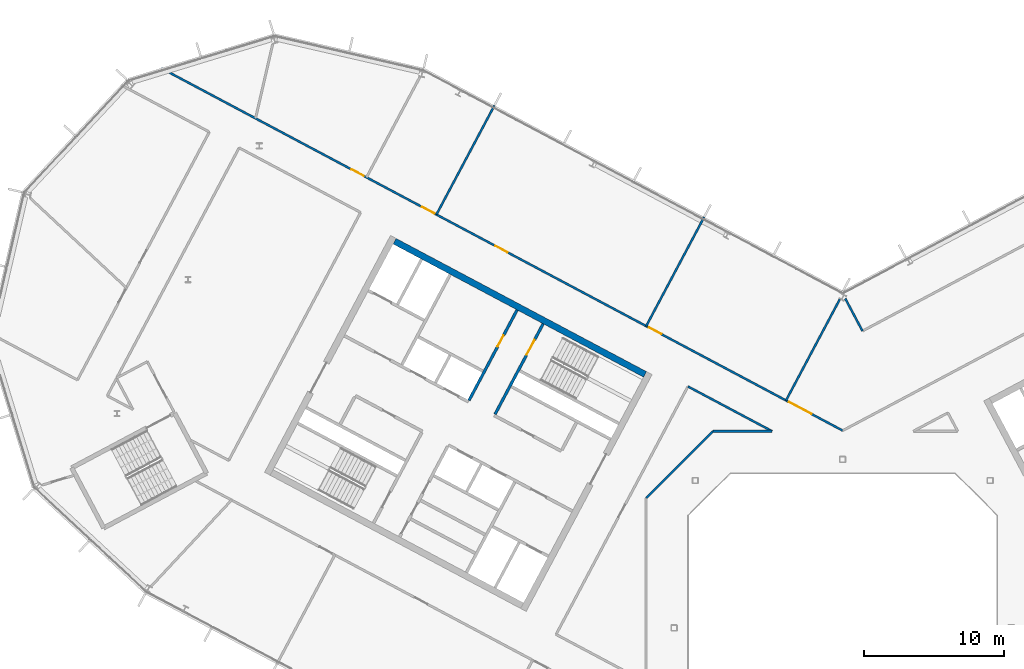
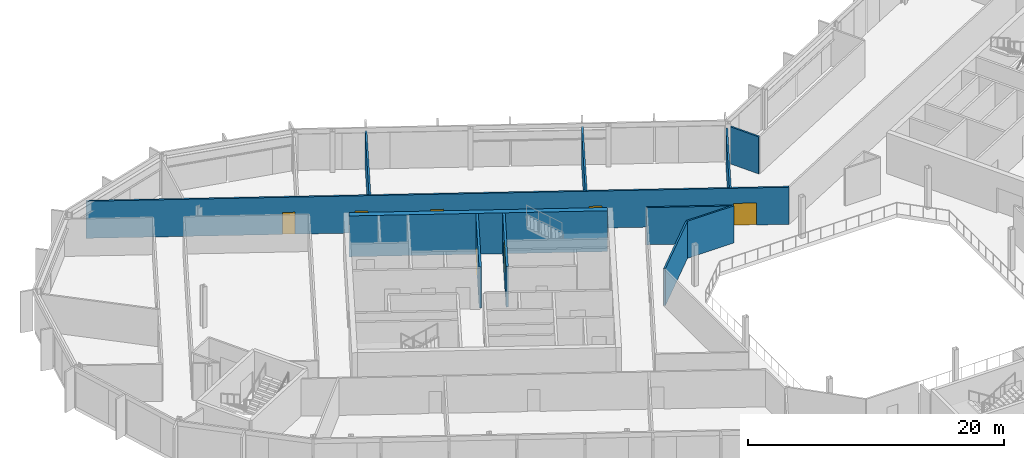
# One storey, part 14 of 25: 11 walls, 7 doors, 7 openings.
"""IFC4 building model written with IfcOpenShell, lengths in metres."""

from ifc_helpers import new_model, si_unit, direction, frame, frame_2d, origin, place, context, subcontext, project, spatial, rectangle, extrude, material, layer, layer_set, type_object, element, fill, save


model = new_model("IFC4")

# Units and contexts
model_context = context("Model", 3, precision=1e-05, world=origin(), true_north=direction((0.0, 1.0)))
body_context = subcontext(model_context, "Body", "Model", "MODEL_VIEW")
ifc_project = project(units=[si_unit("LENGTHUNIT", "METRE"), si_unit("AREAUNIT", "SQUARE_METRE"), si_unit("VOLUMEUNIT", "CUBIC_METRE"), si_unit("PLANEANGLEUNIT", "RADIAN"), si_unit("MASSUNIT", "GRAM", prefix="KILO")], contexts=[model_context])

# Site, building, storey
site_placement = place(None, origin())
site = spatial("IfcSite", under=ifc_project, at=site_placement, CompositionType="ELEMENT")
building_placement = place(site_placement, origin())
building = spatial("IfcBuilding", under=site, at=building_placement, Name="Cormorant Relay Tower", CompositionType="ELEMENT")
storey_placement = place(building_placement, frame((0.0, 0.0, 265.800048828125)))
storey = spatial("IfcBuildingStorey", under=building, at=storey_placement, Name="L59", CompositionType="ELEMENT", Elevation=265.800048828125)

# Wall, opening, door
ifc_material_1 = material(Name="Concrete 50 MPa", Category="concrete")
ifc_layer_1 = layer(ifc_material_1, 0.199951171875)
ifc_layer_set_1 = layer_set([ifc_layer_1], Name="Core shaft wall 200")
wall_type_1 = type_object("IfcWallType", Name="Core shaft wall 200", PredefinedType="SHEAR", material=ifc_layer_set_1)
wall_1_placement = place(storey_placement, frame((-21.333251953125, 21.6494140625, 0.0), z_axis=(0.0, 0.0, 1.0), x_axis=(-0.469494272526, -0.882935517501, 0.0)))
wall_1 = element("IfcWall", 1, at=wall_1_placement, inside=storey, type_object=wall_type_1, Name="L59 core A shaft wall", PredefinedType="SHEAR", context=body_context, shape_type="SweptSolid", body=[
    extrude(rectangle(XDim=7.2998046875, YDim=0.199951171875, at=frame_2d((3.64990234375, 0.0))), origin(), (0.0, 0.0, 1.0), 3.89990234375),
])
opening_1_placement = place(wall_1_placement, frame((1.300048828125, 0.0, 0.0)))
opening_1 = element("IfcOpeningElement", 2, at=opening_1_placement, cuts=wall_1, Name="Opening CDB-038", PredefinedType="OPENING", context=body_context, shape_type="SweptSolid", body=[
    extrude(rectangle(XDim=1.199951171875, YDim=2.10009765625, at=frame_2d((0.60009765625, 1.050048828125))), frame((0.0, 0.10986328125, 0.0), z_axis=(0.0, -1.0, 0.0), x_axis=(1.0, 0.0, 0.0)), (0.0, 0.0, 1.0), 0.219970703125),
])
ifc_material_2 = material(Name="Steel fire door", Category="steel")
door_type_1 = type_object("IfcDoorType", Name="Core stair door 1200x2100", OperationType="SINGLE_SWING_LEFT", PredefinedType="DOOR", material=ifc_material_2)
door_1_placement = place(opening_1_placement, origin())
door_1 = element("IfcDoor", 3, at=door_1_placement, inside=storey, type_object=door_type_1, Name="Core stair door 1200x2100", OperationType="SINGLE_SWING_RIGHT", OverallHeight=2.10009765625, OverallWidth=1.199951171875, PredefinedType="DOOR", context=body_context, shape_type="SweptSolid", body=[
    extrude(rectangle(XDim=1.199951171875, YDim=2.10009765625, at=frame_2d((0.60009765625, 1.050048828125))), frame((0.0, 0.02490234375, 0.0), z_axis=(0.0, -1.0, 0.0), x_axis=(1.0, 0.0, 0.0)), (0.0, 0.0, 1.0), 0.050048828125),
])
fill(opening_1, door_1)

wall_2_placement = place(storey_placement, frame((-23.1875, 22.635498046875, 0.0), z_axis=(0.0, 0.0, 1.0), x_axis=(-0.469454336211, -0.882956752176, 0.0)))
wall_2 = element("IfcWall", 4, at=wall_2_placement, inside=storey, type_object=wall_type_1, Name="L59 core A shaft wall", PredefinedType="SHEAR", context=body_context, shape_type="SweptSolid", body=[
    extrude(rectangle(XDim=7.300048828125, YDim=0.199951171875, at=frame_2d((3.64990234375, 0.0))), origin(), (0.0, 0.0, 1.0), 3.89990234375),
])
opening_2_placement = place(wall_2_placement, frame((2.050048828125, 0.0, 0.0)))
opening_2 = element("IfcOpeningElement", 5, at=opening_2_placement, cuts=wall_2, Name="Opening CDD-292", PredefinedType="OPENING", context=body_context, shape_type="SweptSolid", body=[
    extrude(rectangle(XDim=0.89990234375, YDim=2.10009765625, at=frame_2d((0.449951171875, 1.050048828125))), frame((0.0, 0.10986328125, 0.0), z_axis=(0.0, -1.0, 0.0), x_axis=(1.0, 0.0, 0.0)), (0.0, 0.0, 1.0), 0.219970703125),
])
ifc_material_3 = material(Name="Steel fire door", Category="steel")
door_type_2 = type_object("IfcDoorType", Name="Core room door 900x2100", OperationType="SINGLE_SWING_LEFT", PredefinedType="DOOR", material=ifc_material_3)
door_2_placement = place(opening_2_placement, origin())
door_2 = element("IfcDoor", 6, at=door_2_placement, inside=storey, type_object=door_type_2, Name="Core room door 900x2100", OperationType="SINGLE_SWING_LEFT", OverallHeight=2.10009765625, OverallWidth=0.89990234375, PredefinedType="DOOR", context=body_context, shape_type="SweptSolid", body=[
    extrude(rectangle(XDim=0.89990234375, YDim=2.10009765625, at=frame_2d((0.449951171875, 1.050048828125))), frame((0.0, 0.02490234375, 0.0), z_axis=(0.0, -1.0, 0.0), x_axis=(1.0, 0.0, 0.0)), (0.0, 0.0, 1.0), 0.050048828125),
])
fill(opening_2, door_2)

# Wall
ifc_material_4 = material(Name="Concrete 50 MPa", Category="concrete")
ifc_layer_2 = layer(ifc_material_4, 0.449951171875)
ifc_layer_set_2 = layer_set([ifc_layer_2], Name="Core wall 450")
wall_type_2 = type_object("IfcWallType", Name="Core wall 450", PredefinedType="SHEAR", material=ifc_layer_set_2)
wall_3_placement = place(storey_placement, frame((-14.07568359375, 18.04541015625, 0.0), z_axis=(0.0, 0.0, 1.0), x_axis=(-0.882947755831, 0.46947125628, 0.0)))
element("IfcWall", 7, at=wall_3_placement, inside=storey, type_object=wall_type_2, Name="L59 core A wall", PredefinedType="SHEAR", context=body_context, shape_type="SweptSolid", body=[
    extrude(rectangle(XDim=20.2001953125, YDim=0.449951171875, at=frame_2d((10.10009765625, 0.0))), origin(), (0.0, 0.0, 1.0), 3.89990234375),
])

# Wall, openings, doors
ifc_material_5 = material(Name="Gypsum board fire partition")
ifc_layer_3 = layer(ifc_material_5, 0.14990234375)
ifc_layer_set_3 = layer_set([ifc_layer_3], Name="Corridor partition 150 EI 60")
wall_type_3 = type_object("IfcWallType", Name="Corridor partition 150 EI 60", PredefinedType="PARTITIONING", material=ifc_layer_set_3)
wall_4_placement = place(storey_placement, frame((-48.541015625, 39.85400390625, 0.0), z_axis=(0.0, 0.0, 1.0), x_axis=(0.882945008423, -0.469476423372, 0.0)))
wall_4 = element("IfcWall", 8, at=wall_4_placement, inside=storey, type_object=wall_type_3, Name="wall/L59/part/008", PredefinedType="PARTITIONING", context=body_context, shape_type="SweptSolid", body=[
    extrude(rectangle(XDim=54.976318359375, YDim=0.14990234375, at=frame_2d((27.48828125, 0.0))), origin(), (0.0, 0.0, 1.0), 3.5400390625),
])
opening_3_placement = place(wall_4_placement, frame((50.64990234375, 0.0, 0.0)))
opening_3 = element("IfcOpeningElement", 9, at=opening_3_placement, cuts=wall_4, Name="Opening DD-036", PredefinedType="OPENING", context=body_context, shape_type="SweptSolid", body=[
    extrude(rectangle(XDim=1.800048828125, YDim=2.10009765625, at=frame_2d((0.89990234375, 1.050048828125))), frame((0.0, 0.0849609375, 0.0), z_axis=(0.0, -1.0, 0.0), x_axis=(1.0, 0.0, 0.0)), (0.0, 0.0, 1.0), 0.169921875),
])
opening_4_placement = place(wall_4_placement, frame((39.35009765625, 0.0, 0.0)))
opening_4 = element("IfcOpeningElement", 10, at=opening_4_placement, cuts=wall_4, Name="Opening DS-134", PredefinedType="OPENING", context=body_context, shape_type="SweptSolid", body=[
    extrude(rectangle(XDim=1.0, YDim=2.10009765625, at=frame_2d((0.5, 1.050048828125))), frame((0.0, 0.0849609375, 0.0), z_axis=(0.0, -1.0, 0.0), x_axis=(1.0, 0.0, 0.0)), (0.0, 0.0, 1.0), 0.169921875),
])
opening_5_placement = place(wall_4_placement, frame((26.949951171875, 0.0, 0.0)))
opening_5 = element("IfcOpeningElement", 11, at=opening_5_placement, cuts=wall_4, Name="Opening DS-210", PredefinedType="OPENING", context=body_context, shape_type="SweptSolid", body=[
    extrude(rectangle(XDim=1.0, YDim=2.10009765625, at=frame_2d((0.5, 1.050048828125))), frame((0.0, 0.0849609375, 0.0), z_axis=(0.0, -1.0, 0.0), x_axis=(1.0, 0.0, 0.0)), (0.0, 0.0, 1.0), 0.169921875),
])
opening_6_placement = place(wall_4_placement, frame((21.049072265625, 0.0, 0.0)))
opening_6 = element("IfcOpeningElement", 12, at=opening_6_placement, cuts=wall_4, Name="Opening DS-119", PredefinedType="OPENING", context=body_context, shape_type="SweptSolid", body=[
    extrude(rectangle(XDim=1.0, YDim=2.10009765625, at=frame_2d((0.5, 1.050048828125))), frame((0.0, 0.0849609375, 0.0), z_axis=(0.0, -1.0, 0.0), x_axis=(1.0, 0.0, 0.0)), (0.0, 0.0, 1.0), 0.169921875),
])
opening_7_placement = place(wall_4_placement, frame((15.35009765625, 0.0, 0.0)))
opening_7 = element("IfcOpeningElement", 13, at=opening_7_placement, cuts=wall_4, Name="Opening DS-120", PredefinedType="OPENING", context=body_context, shape_type="SweptSolid", body=[
    extrude(rectangle(XDim=1.0, YDim=2.10009765625, at=frame_2d((0.5, 1.050048828125))), frame((0.0, 0.0849609375, 0.0), z_axis=(0.0, -1.0, 0.0), x_axis=(1.0, 0.0, 0.0)), (0.0, 0.0, 1.0), 0.169921875),
])
ifc_material_6 = material(Name="Timber door leaf", Category="wood")
door_type_3 = type_object("IfcDoorType", Name="Suite door 1000x2100", OperationType="SINGLE_SWING_LEFT", PredefinedType="DOOR", material=ifc_material_6)
door_3_placement = place(opening_4_placement, origin())
door_3 = element("IfcDoor", 14, at=door_3_placement, inside=storey, type_object=door_type_3, Name="door/L59/014", OperationType="SINGLE_SWING_LEFT", OverallHeight=2.10009765625, OverallWidth=1.0, PredefinedType="DOOR", context=body_context, shape_type="SweptSolid", body=[
    extrude(rectangle(XDim=1.0, YDim=2.10009765625, at=frame_2d((0.5, 1.050048828125))), frame((0.0, 0.02490234375, 0.0), z_axis=(0.0, -1.0, 0.0), x_axis=(1.0, 0.0, 0.0)), (0.0, 0.0, 1.0), 0.050048828125),
])
fill(opening_4, door_3)
door_4_placement = place(opening_5_placement, origin())
door_4 = element("IfcDoor", 15, at=door_4_placement, inside=storey, type_object=door_type_3, Name="door/L59/015", OperationType="SINGLE_SWING_RIGHT", OverallHeight=2.10009765625, OverallWidth=1.0, PredefinedType="DOOR", context=body_context, shape_type="SweptSolid", body=[
    extrude(rectangle(XDim=1.0, YDim=2.10009765625, at=frame_2d((0.5, 1.050048828125))), frame((0.0, 0.02490234375, 0.0), z_axis=(0.0, -1.0, 0.0), x_axis=(1.0, 0.0, 0.0)), (0.0, 0.0, 1.0), 0.050048828125),
])
fill(opening_5, door_4)
door_5_placement = place(opening_6_placement, origin())
door_5 = element("IfcDoor", 16, at=door_5_placement, inside=storey, type_object=door_type_3, Name="door/L59/016", OperationType="SINGLE_SWING_RIGHT", OverallHeight=2.10009765625, OverallWidth=1.0, PredefinedType="DOOR", context=body_context, shape_type="SweptSolid", body=[
    extrude(rectangle(XDim=1.0, YDim=2.10009765625, at=frame_2d((0.5, 1.050048828125))), frame((0.0, 0.02490234375, 0.0), z_axis=(0.0, -1.0, 0.0), x_axis=(1.0, 0.0, 0.0)), (0.0, 0.0, 1.0), 0.050048828125),
])
fill(opening_6, door_5)
door_6_placement = place(opening_7_placement, origin())
door_6 = element("IfcDoor", 17, at=door_6_placement, inside=storey, type_object=door_type_3, Name="door/L59/017", OperationType="SINGLE_SWING_RIGHT", OverallHeight=2.10009765625, OverallWidth=1.0, PredefinedType="DOOR", context=body_context, shape_type="SweptSolid", body=[
    extrude(rectangle(XDim=1.0, YDim=2.10009765625, at=frame_2d((0.5, 1.050048828125))), frame((0.0, 0.02490234375, 0.0), z_axis=(0.0, -1.0, 0.0), x_axis=(1.0, 0.0, 0.0)), (0.0, 0.0, 1.0), 0.050048828125),
])
fill(opening_7, door_6)
ifc_material_7 = material(Name="Timber door leaf", Category="wood")
door_type_4 = type_object("IfcDoorType", Name="Suite double door 1800x2100", OperationType="DOUBLE_DOOR_SINGLE_SWING", PredefinedType="DOOR", material=ifc_material_7)
door_7_placement = place(opening_3_placement, origin())
door_7 = element("IfcDoor", 18, at=door_7_placement, inside=storey, type_object=door_type_4, Name="door/L59/013", OperationType="DOUBLE_DOOR_SINGLE_SWING", OverallHeight=2.10009765625, OverallWidth=1.800048828125, PredefinedType="DOOR", context=body_context, shape_type="SweptSolid", body=[
    extrude(rectangle(XDim=1.800048828125, YDim=2.10009765625, at=frame_2d((0.89990234375, 1.050048828125))), frame((0.0, 0.02490234375, 0.0), z_axis=(0.0, -1.0, 0.0), x_axis=(1.0, 0.0, 0.0)), (0.0, 0.0, 1.0), 0.050048828125),
])
fill(opening_3, door_7)

# Walls
wall_5_placement = place(storey_placement, frame((-11.02197265625, 17.18603515625, 0.0), z_axis=(0.0, 0.0, 1.0), x_axis=(0.882943783905, -0.469478726316, 0.0)))
element("IfcWall", 19, at=wall_5_placement, inside=storey, type_object=wall_type_3, Name="wall/L59/part/045", PredefinedType="PARTITIONING", context=body_context, shape_type="SweptSolid", body=[
    extrude(rectangle(XDim=6.786376953125, YDim=0.14990234375, at=frame_2d((3.39306640625, 0.0))), origin(), (0.0, 0.0, 1.0), 3.5400390625),
])
wall_6_placement = place(storey_placement, frame((-5.030029296875, 14.0, 0.0), z_axis=(0.0, 0.0, 1.0), x_axis=(-1.0, 0.0, 0.0)))
element("IfcWall", 20, at=wall_6_placement, inside=storey, type_object=wall_type_3, Name="wall/L59/part/046", PredefinedType="PARTITIONING", context=body_context, shape_type="SweptSolid", body=[
    extrude(rectangle(XDim=4.212890625, YDim=0.14990234375, at=frame_2d((2.1064453125, 0.0))), origin(), (0.0, 0.0, 1.0), 3.5400390625),
])
wall_7_placement = place(storey_placement, frame((-9.242919921875, 14.0, 0.0), z_axis=(0.0, 0.0, 1.0), x_axis=(-0.707106781187, -0.707106781187, 0.0)))
element("IfcWall", 21, at=wall_7_placement, inside=storey, type_object=wall_type_3, Name="wall/L59/part/047", PredefinedType="PARTITIONING", context=body_context, shape_type="SweptSolid", body=[
    extrude(rectangle(XDim=6.7275390625, YDim=0.14990234375, at=frame_2d((3.36376953125, 0.0))), origin(), (0.0, 0.0, 1.0), 3.5400390625),
])
ifc_material_8 = material(Name="Gypsum board partition")
ifc_layer_4 = layer(ifc_material_8, 0.14990234375)
ifc_layer_set_4 = layer_set([ifc_layer_4], Name="Tenant partition 150")
wall_type_4 = type_object("IfcWallType", Name="Tenant partition 150", PredefinedType="PARTITIONING", material=ifc_layer_set_4)
wall_8_placement = place(storey_placement, frame((-24.800048828125, 37.197021484375, 0.0), z_axis=(0.0, 0.0, 1.0), x_axis=(-0.469510830369, -0.882926712794, 0.0)))
element("IfcWall", 22, at=wall_8_placement, inside=storey, type_object=wall_type_4, Name="wall/L59/part/020", PredefinedType="PARTITIONING", context=body_context, shape_type="SweptSolid", body=[
    extrude(rectangle(XDim=8.80029296875, YDim=0.14990234375, at=frame_2d((4.400146484375, 0.0))), origin(), (0.0, 0.0, 1.0), 3.5400390625),
])
wall_9_placement = place(storey_placement, frame((-9.864013671875, 29.2548828125, 0.0), z_axis=(0.0, 0.0, 1.0), x_axis=(-0.469457446168, -0.882955098653, 0.0)))
element("IfcWall", 23, at=wall_9_placement, inside=storey, type_object=wall_type_4, Name="wall/L59/part/021", PredefinedType="PARTITIONING", context=body_context, shape_type="SweptSolid", body=[
    extrude(rectangle(XDim=8.7998046875, YDim=0.14990234375, at=frame_2d((4.39990234375, 0.0))), origin(), (0.0, 0.0, 1.0), 3.5400390625),
])
wall_10_placement = place(storey_placement, frame((-0.195068359375, 23.41796875, 0.0), z_axis=(0.0, 0.0, 1.0), x_axis=(-0.469409645302, -0.882980512184, 0.0)))
element("IfcWall", 24, at=wall_10_placement, inside=storey, type_object=wall_type_4, Name="wall/L59/part/026", PredefinedType="PARTITIONING", context=body_context, shape_type="SweptSolid", body=[
    extrude(rectangle(XDim=8.184814453125, YDim=0.14990234375, at=frame_2d((4.09228515625, 0.0))), origin(), (0.0, 0.0, 1.0), 3.5400390625),
])
wall_11_placement = place(storey_placement, frame((0.178955078125, 23.449951171875, 0.0), z_axis=(0.0, 0.0, 1.0), x_axis=(0.469359563697, -0.88300713472, 0.0)))
element("IfcWall", 25, at=wall_11_placement, inside=storey, type_object=wall_type_4, Name="wall/L59/part/029", PredefinedType="PARTITIONING", context=body_context, shape_type="SweptSolid", body=[
    extrude(rectangle(XDim=2.62060546875, YDim=0.14990234375, at=frame_2d((1.310302734375, 0.0))), origin(), (0.0, 0.0, 1.0), 3.5400390625),
])

save(model, "model.ifc")
